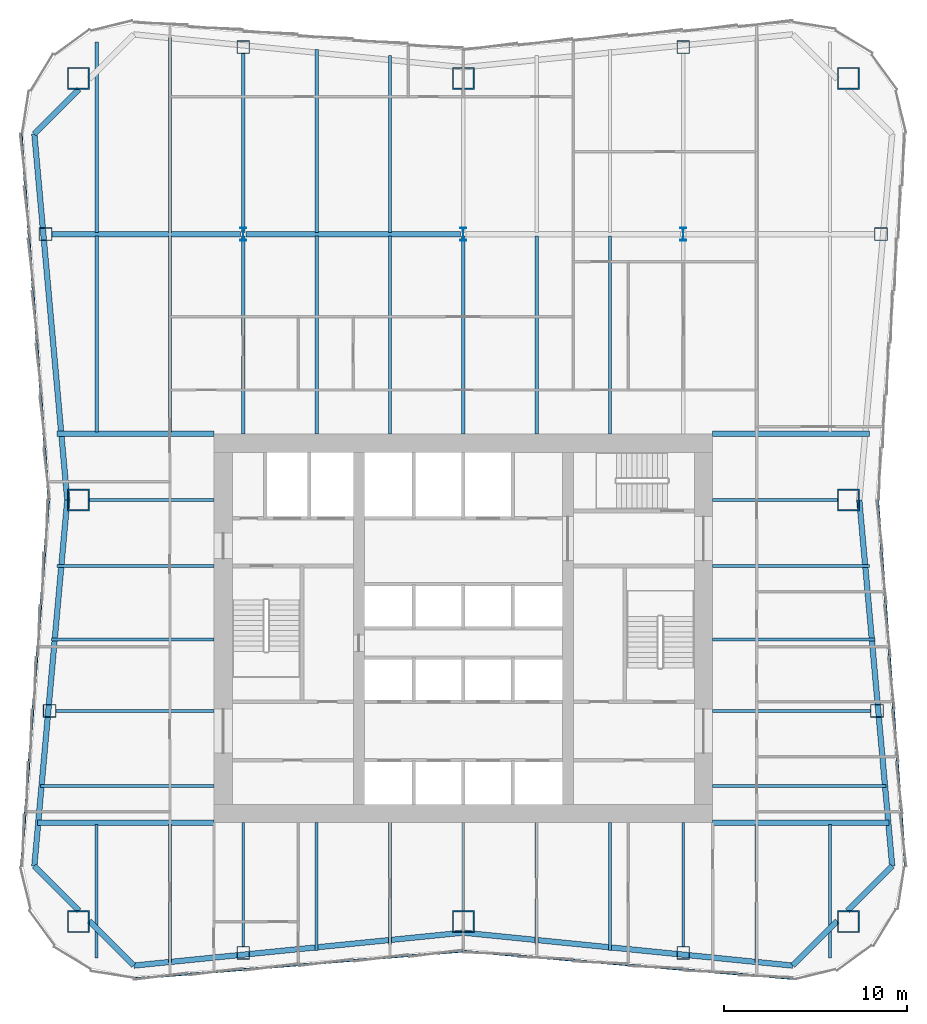
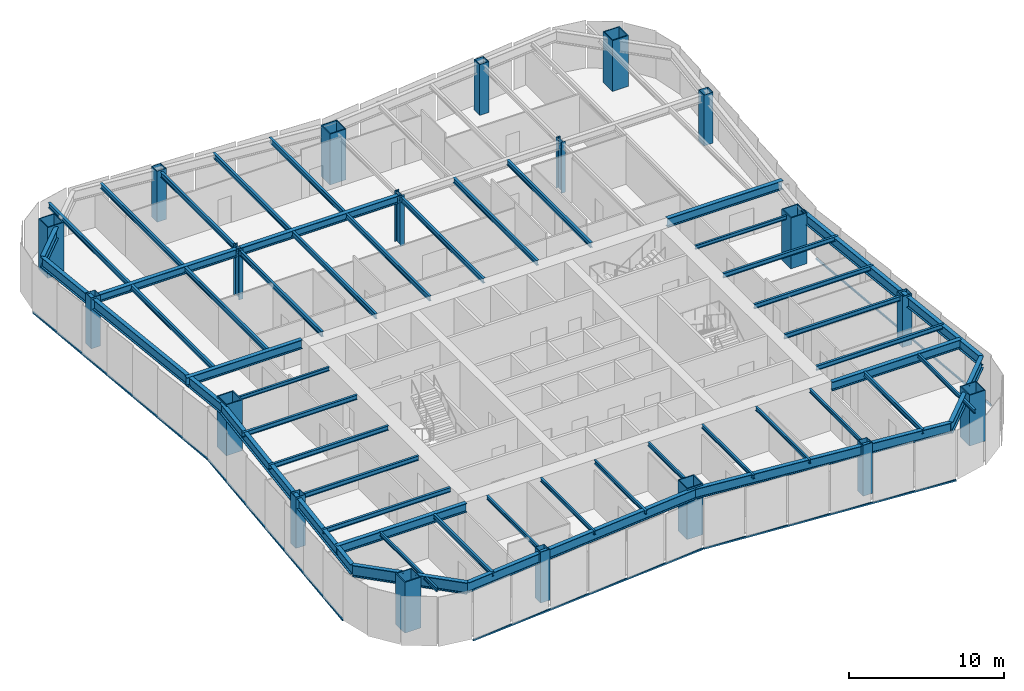
# One storey, part 1 of 8: 50 beams, 19 columns, 5 members, 3 elements without a shape of their own.
"""IFC4 building model written with IfcOpenShell, lengths in metres."""

from ifc_helpers import new_model, si_unit, direction, frame, origin, origin_2d, place, context, subcontext, project, spatial, rectangle, hollow_rectangle, i_section, extrude, material, material_profile, profile_set, type_object, element, aggregate, save


model = new_model("IFC4")

# Units and contexts
model_context = context("Model", 3, precision=1e-05, world=origin(), true_north=direction((0.0, 1.0)))
body_context = subcontext(model_context, "Body", "Model", "MODEL_VIEW")
ifc_project = project(units=[si_unit("LENGTHUNIT", "METRE"), si_unit("AREAUNIT", "SQUARE_METRE"), si_unit("VOLUMEUNIT", "CUBIC_METRE"), si_unit("PLANEANGLEUNIT", "RADIAN"), si_unit("MASSUNIT", "GRAM", prefix="KILO")], contexts=[model_context])

# Site, building, storey
site_placement = place(None, origin())
site = spatial("IfcSite", under=ifc_project, at=site_placement, CompositionType="ELEMENT")
building_placement = place(site_placement, origin())
building = spatial("IfcBuilding", under=site, at=building_placement, Name="Verdant Reach Tower", CompositionType="ELEMENT")
storey_placement = place(building_placement, frame((0.0, 0.0, 154.0)))
storey = spatial("IfcBuildingStorey", under=building, at=storey_placement, Name="L35", CompositionType="ELEMENT", Elevation=154.0)

# Columns
ifc_material_1 = material(Name="Steel S460", Category="steel")
ifc_material_profile_1 = material_profile(ifc_material_1, i_section(OverallWidth=0.30810546875, OverallDepth=0.716064453125, WebThickness=0.02099609375, FlangeThickness=0.0400390625, FilletRadius=0.027099609375, at=origin_2d()), Name="HEM 700")
ifc_profile_set_1 = profile_set([ifc_material_profile_1], Name="Steel S460")
column_type_1 = type_object("IfcColumnType", Name="ST-COL-HEM700", PredefinedType="COLUMN", material=ifc_profile_set_1)
for number, where, z_axis, x_axis, name in (
    (1, (-12.0, 49.5, 0.0), (0.0, 0.0, 1.0), (1.0, 0.0, 0.0), "Interior column 1, L35"),
    (2, (0.0, 49.5, 0.0), (0.0, 0.0, 1.0), (1.0, 0.0, 0.0), "Interior column 2, L35"),
    (3, (12.0, 49.5, 0.0), (0.0, 0.0, 1.0), (1.0, 0.0, 0.0), "Interior column 3, L35"),
):
    element("IfcColumn", number, at=place(storey_placement, frame(where, z_axis=z_axis, x_axis=x_axis)), inside=storey, type_object=column_type_1, Name=name, PredefinedType="COLUMN", context=body_context, shape_type="SweptSolid", body=[
        extrude(i_section(OverallWidth=0.30810546875, OverallDepth=0.716064453125, WebThickness=0.02099609375, FlangeThickness=0.0400390625, FilletRadius=0.027099609375, at=origin_2d()), origin(), (0.0, 0.0, 1.0), 4.0),
    ])
ifc_material_profile_2 = material_profile(ifc_material_1, hollow_rectangle(XDim=1.199951171875, YDim=1.199951171875, WallThickness=0.070068359375, at=origin_2d()), Name="WB 1200x1200x70")
ifc_profile_set_2 = profile_set([ifc_material_profile_2], Name="Steel S460")
column_type_2 = type_object("IfcColumnType", Name="ST-COL-WB1200x1200x70", PredefinedType="COLUMN", material=ifc_profile_set_2)
for number, where, z_axis, x_axis, name in (
    (4, (-21.0, 58.0, 0.0), (0.0, 0.0, 1.0), (1.0, 0.0, 0.0), "Mega column north-west, L35"),
    (5, (0.0, 58.0, 0.0), (0.0, 0.0, 1.0), (1.0, 0.0, 0.0), "Mega column north, L35"),
    (6, (21.0, 58.0, 0.0), (0.0, 0.0, 1.0), (1.0, 0.0, 0.0), "Mega column north-east, L35"),
    (7, (21.0, 35.0, 0.0), (0.0, 0.0, 1.0), (1.0, 0.0, 0.0), "Mega column east, L35"),
    (8, (21.0, 12.0, 0.0), (0.0, 0.0, 1.0), (1.0, 0.0, 0.0), "Mega column south-east, L35"),
    (9, (0.0, 12.0, 0.0), (0.0, 0.0, 1.0), (1.0, 0.0, 0.0), "Mega column south, L35"),
    (10, (-21.0, 12.0, 0.0), (0.0, 0.0, 1.0), (1.0, 0.0, 0.0), "Mega column south-west, L35"),
    (11, (-21.0, 35.0, 0.0), (0.0, 0.0, 1.0), (1.0, 0.0, 0.0), "Mega column west, L35"),
):
    element("IfcColumn", number, at=place(storey_placement, frame(where, z_axis=z_axis, x_axis=x_axis)), inside=storey, type_object=column_type_2, Name=name, PredefinedType="COLUMN", context=body_context, shape_type="SweptSolid", body=[
        extrude(hollow_rectangle(XDim=1.199951171875, YDim=1.199951171875, WallThickness=0.070068359375, at=origin_2d()), origin(), (0.0, 0.0, 1.0), 4.0),
    ])
ifc_material_profile_3 = material_profile(ifc_material_1, hollow_rectangle(XDim=0.699951171875, YDim=0.699951171875, WallThickness=0.030029296875, at=origin_2d()), Name="WB 700x700x30")
ifc_profile_set_3 = profile_set([ifc_material_profile_3], Name="Steel S460")
column_type_3 = type_object("IfcColumnType", Name="ST-COL-WB700x700x30", PredefinedType="COLUMN", material=ifc_profile_set_3)
for number, where, z_axis, x_axis, name in (
    (12, (-12.0, 59.699951171875, 0.0), (0.0, 0.0, 1.0), (1.0, 0.0, 0.0), "Perimeter column north 1, L35"),
    (13, (12.0, 59.699951171875, 0.0), (0.0, 0.0, 1.0), (1.0, 0.0, 0.0), "Perimeter column north 2, L35"),
    (14, (-12.0, 10.300048828125, 0.0), (0.0, 0.0, 1.0), (1.0, 0.0, 0.0), "Perimeter column south 1, L35"),
    (15, (12.0, 10.300048828125, 0.0), (0.0, 0.0, 1.0), (1.0, 0.0, 0.0), "Perimeter column south 2, L35"),
    (16, (22.5625, 23.5, 0.0), (0.0, 0.0, 1.0), (1.0, 0.0, 0.0), "Perimeter column east 1, L35"),
    (17, (22.78759765625, 49.5, 0.0), (0.0, 0.0, 1.0), (1.0, 0.0, 0.0), "Perimeter column east 2, L35"),
    (18, (-22.5625, 23.5, 0.0), (0.0, 0.0, 1.0), (1.0, 0.0, 0.0), "Perimeter column west 1, L35"),
    (19, (-22.78759765625, 49.5, 0.0), (0.0, 0.0, 1.0), (1.0, 0.0, 0.0), "Perimeter column west 2, L35"),
):
    element("IfcColumn", number, at=place(storey_placement, frame(where, z_axis=z_axis, x_axis=x_axis)), inside=storey, type_object=column_type_3, Name=name, PredefinedType="COLUMN", context=body_context, shape_type="SweptSolid", body=[
        extrude(hollow_rectangle(XDim=0.699951171875, YDim=0.699951171875, WallThickness=0.030029296875, at=origin_2d()), origin(), (0.0, 0.0, 1.0), 4.0),
    ])

# Curtain wall, member
ifc_material_2 = material(Name="Anodised aluminium", Category="aluminium")
curtain_wall_type = type_object("IfcCurtainWallType", Name="EN-CW SYSTEM Z2", PredefinedType="NOTDEFINED", material=ifc_material_2)
curtain_wall_1_placement = place(storey_placement, origin())
curtain_wall_1 = element("IfcCurtainWall", 20, at=curtain_wall_1_placement, inside=storey, type_object=curtain_wall_type, Name="Curtain wall east, L35", PredefinedType="NOTDEFINED")
ifc_material_profile_4 = material_profile(ifc_material_2, rectangle(XDim=0.10009765625, YDim=0.1240234375, at=origin_2d()), Name="Transom 124x100")
ifc_profile_set_4 = profile_set([ifc_material_profile_4], Name="Anodised aluminium")
member_type = type_object("IfcMemberType", Name="EN-TRANSOM Z2", PredefinedType="USERDEFINED", material=ifc_profile_set_4)
member_1_placement = place(storey_placement, frame((24.103515625, 15.025390625, -0.2880859375), z_axis=(-0.07476111665, 0.997201471839, 0.0), x_axis=(-0.997201471839, -0.07476111665, 0.0)))
member_1 = element("IfcMember", 21, at=member_1_placement, type_object=member_type, Name="Transom east face part 1 1.1, L35", ObjectType="TRANSOM", PredefinedType="USERDEFINED", context=body_context, shape_type="SweptSolid", body=[
    extrude(rectangle(XDim=0.10009765625, YDim=0.1240234375, at=origin_2d()), origin(), (0.0, 0.0, 1.0), 19.99853515625),
])
aggregate(curtain_wall_1, [member_1])

# Curtain wall, members
curtain_wall_2_placement = place(storey_placement, origin())
curtain_wall_2 = element("IfcCurtainWall", 22, at=curtain_wall_2_placement, inside=storey, type_object=curtain_wall_type, Name="Curtain wall west, L35", PredefinedType="NOTDEFINED")
member_2_placement = place(storey_placement, frame((-24.103515625, 54.974609375, -0.2880859375), z_axis=(0.07476111665, -0.997201471839, 0.0), x_axis=(0.997201471839, 0.07476111665, 0.0)))
member_2 = element("IfcMember", 23, at=member_2_placement, type_object=member_type, Name="Transom west face part 1 1.1, L35", ObjectType="TRANSOM", PredefinedType="USERDEFINED", context=body_context, shape_type="SweptSolid", body=[
    extrude(rectangle(XDim=0.10009765625, YDim=0.1240234375, at=origin_2d()), origin(), (0.0, 0.0, 1.0), 19.99853515625),
])
member_3_placement = place(storey_placement, frame((-22.6083984375, 34.968017578125, -0.2880859375), z_axis=(-0.07476111665, -0.997201471839, 0.0), x_axis=(0.997201471839, -0.07476111665, 0.0)))
member_3 = element("IfcMember", 24, at=member_3_placement, type_object=member_type, Name="Transom west face part 2 1.1, L35", ObjectType="TRANSOM", PredefinedType="USERDEFINED", context=body_context, shape_type="SweptSolid", body=[
    extrude(rectangle(XDim=0.10009765625, YDim=0.1240234375, at=origin_2d()), origin(), (0.0, 0.0, 1.0), 19.99853515625),
])
aggregate(curtain_wall_2, [member_2, member_3])

curtain_wall_3_placement = place(storey_placement, origin())
curtain_wall_3 = element("IfcCurtainWall", 25, at=curtain_wall_3_placement, inside=storey, type_object=curtain_wall_type, Name="Curtain wall south, L35", PredefinedType="NOTDEFINED")
member_4_placement = place(storey_placement, frame((-17.97412109375, 8.896728515625, -0.2880859375), z_axis=(0.996548282776, 0.083015179915, 0.0), x_axis=(-0.083015179915, 0.996548282776, 0.0)))
member_4 = element("IfcMember", 26, at=member_4_placement, type_object=member_type, Name="Transom south face part 1 1.1, L35", ObjectType="TRANSOM", PredefinedType="USERDEFINED", context=body_context, shape_type="SweptSolid", body=[
    extrude(rectangle(XDim=0.10009765625, YDim=0.1240234375, at=origin_2d()), origin(), (0.0, 0.0, 1.0), 18.00439453125),
])
member_5_placement = place(storey_placement, frame((0.031982421875, 10.391357421875, -0.2880859375), z_axis=(0.996548282776, -0.083015179915, 0.0), x_axis=(0.083015179915, 0.996548282776, 0.0)))
member_5 = element("IfcMember", 27, at=member_5_placement, type_object=member_type, Name="Transom south face part 2 1.1, L35", ObjectType="TRANSOM", PredefinedType="USERDEFINED", context=body_context, shape_type="SweptSolid", body=[
    extrude(rectangle(XDim=0.10009765625, YDim=0.1240234375, at=origin_2d()), origin(), (0.0, 0.0, 1.0), 18.00439453125),
])
aggregate(curtain_wall_3, [member_4, member_5])

# Beams
ifc_material_3 = material(Name="Steel S355", Category="steel")
ifc_material_profile_5 = material_profile(ifc_material_3, i_section(OverallWidth=0.300048828125, OverallDepth=0.60009765625, WebThickness=0.015380859375, FlangeThickness=0.030029296875, FilletRadius=0.027099609375, at=origin_2d()), Name="HEB 600")
ifc_profile_set_5 = profile_set([ifc_material_profile_5], Name="Steel S355")
beam_type_1 = type_object("IfcBeamType", Name="ST-BEAM-HEB600", PredefinedType="BEAM", material=ifc_profile_set_5)
beam_1_placement = place(storey_placement, frame((-22.4375, 49.5, 3.570068359375), z_axis=(1.0, 0.0, 0.0), x_axis=(0.0, 1.0, 0.0)))
element("IfcBeam", 28, at=beam_1_placement, inside=storey, type_object=beam_type_1, Name="Row girder, L35", PredefinedType="BEAM", context=body_context, shape_type="SweptSolid", body=[
    extrude(i_section(OverallWidth=0.300048828125, OverallDepth=0.60009765625, WebThickness=0.015380859375, FlangeThickness=0.030029296875, FilletRadius=0.027099609375, at=origin_2d()), origin(), (0.0, 0.0, 1.0), 10.283447265625),
])
beam_2_placement = place(storey_placement, frame((-11.845947265625, 49.5, 3.570068359375), z_axis=(1.0, 0.0, 0.0), x_axis=(0.0, 1.0, 0.0)))
element("IfcBeam", 29, at=beam_2_placement, inside=storey, type_object=beam_type_1, Name="Row girder, L35", PredefinedType="BEAM", context=body_context, shape_type="SweptSolid", body=[
    extrude(i_section(OverallWidth=0.300048828125, OverallDepth=0.60009765625, WebThickness=0.015380859375, FlangeThickness=0.030029296875, FilletRadius=0.027099609375, at=origin_2d()), origin(), (0.0, 0.0, 1.0), 11.69189453125),
])
ifc_material_profile_6 = material_profile(ifc_material_3, i_section(OverallWidth=0.300048828125, OverallDepth=0.699951171875, WebThickness=0.01708984375, FlangeThickness=0.031982421875, FilletRadius=0.027099609375, at=origin_2d()), Name="HEB 700")
ifc_profile_set_6 = profile_set([ifc_material_profile_6], Name="Steel S355")
beam_type_2 = type_object("IfcBeamType", Name="ST-BEAM-HEB700", PredefinedType="BEAM", material=ifc_profile_set_6)
for number, where, z_axis, x_axis, name in (
    (30, (13.60009765625, 38.60009765625, 3.52001953125), (1.0, 0.0, 0.0), (0.0, 1.0, 0.0), "Trimmer beam, L35"),
    (31, (-13.60009765625, 38.60009765625, 3.52001953125), (-1.0, 0.0, 0.0), (0.0, -1.0, 0.0), "Trimmer beam, L35"),
):
    element("IfcBeam", number, at=place(storey_placement, frame(where, z_axis=z_axis, x_axis=x_axis)), inside=storey, type_object=beam_type_2, Name=name, PredefinedType="BEAM", context=body_context, shape_type="SweptSolid", body=[
        extrude(i_section(OverallWidth=0.300048828125, OverallDepth=0.699951171875, WebThickness=0.01708984375, FlangeThickness=0.031982421875, FilletRadius=0.027099609375, at=origin_2d()), origin(), (0.0, 0.0, 1.0), 8.568115234375),
    ])
for number, where, z_axis, x_axis, name in (
    (32, (13.60009765625, 17.39990234375, 3.52001953125), (1.0, 0.0, 0.0), (0.0, 1.0, 0.0), "Trimmer beam, L35"),
    (33, (-13.60009765625, 17.39990234375, 3.52001953125), (-1.0, 0.0, 0.0), (0.0, -1.0, 0.0), "Trimmer beam, L35"),
):
    element("IfcBeam", number, at=place(storey_placement, frame(where, z_axis=z_axis, x_axis=x_axis)), inside=storey, type_object=beam_type_2, Name=name, PredefinedType="BEAM", context=body_context, shape_type="SweptSolid", body=[
        extrude(i_section(OverallWidth=0.300048828125, OverallDepth=0.699951171875, WebThickness=0.01708984375, FlangeThickness=0.031982421875, FilletRadius=0.027099609375, at=origin_2d()), origin(), (0.0, 0.0, 1.0), 9.6181640625),
    ])
ifc_material_profile_7 = material_profile(ifc_material_3, i_section(OverallWidth=0.14990234375, OverallDepth=0.300048828125, WebThickness=0.007080078125, FlangeThickness=0.0107421875, FilletRadius=0.014892578125, at=origin_2d()), Name="IPE 300")
ifc_profile_set_7 = profile_set([ifc_material_profile_7], Name="Steel S355")
beam_type_3 = type_object("IfcBeamType", Name="ST-JOIST-IPE300", PredefinedType="JOIST", material=ifc_profile_set_7)
beam_3_placement = place(storey_placement, frame((-20.0, 17.300048828125, 3.719970703125), z_axis=(0.0, -1.0, 0.0), x_axis=(1.0, 0.0, 0.0)))
element("IfcBeam", 34, at=beam_3_placement, inside=storey, type_object=beam_type_3, Name="Floor joist, L35", PredefinedType="JOIST", context=body_context, shape_type="SweptSolid", body=[
    extrude(i_section(OverallWidth=0.14990234375, OverallDepth=0.300048828125, WebThickness=0.007080078125, FlangeThickness=0.0107421875, FilletRadius=0.014892578125, at=origin_2d()), origin(), (0.0, 0.0, 1.0), 7.29052734375),
])
beam_4_placement = place(storey_placement, frame((-12.0, 17.39990234375, 3.719970703125), z_axis=(0.0, -1.0, 0.0), x_axis=(1.0, 0.0, 0.0)))
element("IfcBeam", 35, at=beam_4_placement, inside=storey, type_object=beam_type_3, Name="Floor joist, L35", PredefinedType="JOIST", context=body_context, shape_type="SweptSolid", body=[
    extrude(i_section(OverallWidth=0.14990234375, OverallDepth=0.300048828125, WebThickness=0.007080078125, FlangeThickness=0.0107421875, FilletRadius=0.014892578125, at=origin_2d()), origin(), (0.0, 0.0, 1.0), 6.75),
])
beam_5_placement = place(storey_placement, frame((-8.0, 17.39990234375, 3.719970703125), z_axis=(0.0, -1.0, 0.0), x_axis=(1.0, 0.0, 0.0)))
element("IfcBeam", 36, at=beam_5_placement, inside=storey, type_object=beam_type_3, Name="Floor joist, L35", PredefinedType="JOIST", context=body_context, shape_type="SweptSolid", body=[
    extrude(i_section(OverallWidth=0.14990234375, OverallDepth=0.300048828125, WebThickness=0.007080078125, FlangeThickness=0.0107421875, FilletRadius=0.014892578125, at=origin_2d()), origin(), (0.0, 0.0, 1.0), 6.964599609375),
])
beam_6_placement = place(storey_placement, frame((-4.0, 17.39990234375, 3.719970703125), z_axis=(0.0, -1.0, 0.0), x_axis=(1.0, 0.0, 0.0)))
element("IfcBeam", 37, at=beam_6_placement, inside=storey, type_object=beam_type_3, Name="Floor joist, L35", PredefinedType="JOIST", context=body_context, shape_type="SweptSolid", body=[
    extrude(i_section(OverallWidth=0.14990234375, OverallDepth=0.300048828125, WebThickness=0.007080078125, FlangeThickness=0.0107421875, FilletRadius=0.014892578125, at=origin_2d()), origin(), (0.0, 0.0, 1.0), 6.631103515625),
])
beam_7_placement = place(storey_placement, frame((0.0, 17.39990234375, 3.719970703125), z_axis=(0.0, -1.0, 0.0), x_axis=(1.0, 0.0, 0.0)))
element("IfcBeam", 38, at=beam_7_placement, inside=storey, type_object=beam_type_3, Name="Floor joist, L35", PredefinedType="JOIST", context=body_context, shape_type="SweptSolid", body=[
    extrude(i_section(OverallWidth=0.14990234375, OverallDepth=0.300048828125, WebThickness=0.007080078125, FlangeThickness=0.0107421875, FilletRadius=0.014892578125, at=origin_2d()), origin(), (0.0, 0.0, 1.0), 4.7998046875),
])
beam_8_placement = place(storey_placement, frame((4.0, 17.39990234375, 3.719970703125), z_axis=(0.0, -1.0, 0.0), x_axis=(1.0, 0.0, 0.0)))
element("IfcBeam", 39, at=beam_8_placement, inside=storey, type_object=beam_type_3, Name="Floor joist, L35", PredefinedType="JOIST", context=body_context, shape_type="SweptSolid", body=[
    extrude(i_section(OverallWidth=0.14990234375, OverallDepth=0.300048828125, WebThickness=0.007080078125, FlangeThickness=0.0107421875, FilletRadius=0.014892578125, at=origin_2d()), origin(), (0.0, 0.0, 1.0), 6.631103515625),
])
beam_9_placement = place(storey_placement, frame((8.0, 17.39990234375, 3.719970703125), z_axis=(0.0, -1.0, 0.0), x_axis=(1.0, 0.0, 0.0)))
element("IfcBeam", 40, at=beam_9_placement, inside=storey, type_object=beam_type_3, Name="Floor joist, L35", PredefinedType="JOIST", context=body_context, shape_type="SweptSolid", body=[
    extrude(i_section(OverallWidth=0.14990234375, OverallDepth=0.300048828125, WebThickness=0.007080078125, FlangeThickness=0.0107421875, FilletRadius=0.014892578125, at=origin_2d()), origin(), (0.0, 0.0, 1.0), 6.964599609375),
])
beam_10_placement = place(storey_placement, frame((12.0, 17.39990234375, 3.719970703125), z_axis=(0.0, -1.0, 0.0), x_axis=(1.0, 0.0, 0.0)))
element("IfcBeam", 41, at=beam_10_placement, inside=storey, type_object=beam_type_3, Name="Floor joist, L35", PredefinedType="JOIST", context=body_context, shape_type="SweptSolid", body=[
    extrude(i_section(OverallWidth=0.14990234375, OverallDepth=0.300048828125, WebThickness=0.007080078125, FlangeThickness=0.0107421875, FilletRadius=0.014892578125, at=origin_2d()), origin(), (0.0, 0.0, 1.0), 6.75),
])
beam_11_placement = place(storey_placement, frame((20.0, 17.300048828125, 3.719970703125), z_axis=(0.0, -1.0, 0.0), x_axis=(1.0, 0.0, 0.0)))
element("IfcBeam", 42, at=beam_11_placement, inside=storey, type_object=beam_type_3, Name="Floor joist, L35", PredefinedType="JOIST", context=body_context, shape_type="SweptSolid", body=[
    extrude(i_section(OverallWidth=0.14990234375, OverallDepth=0.300048828125, WebThickness=0.007080078125, FlangeThickness=0.0107421875, FilletRadius=0.014892578125, at=origin_2d()), origin(), (0.0, 0.0, 1.0), 7.29052734375),
])
for number, where, z_axis, x_axis, name in (
    (43, (13.60009765625, 35.0, 3.719970703125), (1.0, 0.0, 0.0), (0.0, 1.0, 0.0), "Floor joist, L35"),
    (44, (-13.60009765625, 35.0, 3.719970703125), (-1.0, 0.0, 0.0), (0.0, -1.0, 0.0), "Floor joist, L35"),
):
    element("IfcBeam", number, at=place(storey_placement, frame(where, z_axis=z_axis, x_axis=x_axis)), inside=storey, type_object=beam_type_3, Name=name, PredefinedType="JOIST", context=body_context, shape_type="SweptSolid", body=[
        extrude(i_section(OverallWidth=0.14990234375, OverallDepth=0.300048828125, WebThickness=0.007080078125, FlangeThickness=0.0107421875, FilletRadius=0.014892578125, at=origin_2d()), origin(), (0.0, 0.0, 1.0), 6.7998046875),
    ])
ifc_material_profile_8 = material_profile(ifc_material_3, i_section(OverallWidth=0.169921875, OverallDepth=0.360107421875, WebThickness=0.008056640625, FlangeThickness=0.0126953125, FilletRadius=0.01806640625, at=origin_2d()), Name="IPE 360")
ifc_profile_set_8 = profile_set([ifc_material_profile_8], Name="Steel S355")
beam_type_4 = type_object("IfcBeamType", Name="ST-JOIST-IPE360", PredefinedType="JOIST", material=ifc_profile_set_8)
for number, where, z_axis, x_axis, name in (
    (45, (-16.0, 17.300048828125, 3.68994140625), (0.0, -1.0, 0.0), (1.0, 0.0, 0.0), "Floor joist, L35"),
    (46, (16.0, 17.300048828125, 3.68994140625), (0.0, -1.0, 0.0), (1.0, 0.0, 0.0), "Floor joist, L35"),
):
    element("IfcBeam", number, at=place(storey_placement, frame(where, z_axis=z_axis, x_axis=x_axis)), inside=storey, type_object=beam_type_4, Name=name, PredefinedType="JOIST", context=body_context, shape_type="SweptSolid", body=[
        extrude(i_section(OverallWidth=0.169921875, OverallDepth=0.360107421875, WebThickness=0.008056640625, FlangeThickness=0.0126953125, FilletRadius=0.01806640625, at=origin_2d()), origin(), (0.0, 0.0, 1.0), 7.53125),
    ])
for number, where, z_axis, x_axis, name in (
    (47, (13.60009765625, 19.39990234375, 3.68994140625), (1.0, 0.0, 0.0), (0.0, 1.0, 0.0), "Floor joist, L35"),
    (48, (-13.60009765625, 19.39990234375, 3.68994140625), (-1.0, 0.0, 0.0), (0.0, -1.0, 0.0), "Floor joist, L35"),
):
    element("IfcBeam", number, at=place(storey_placement, frame(where, z_axis=z_axis, x_axis=x_axis)), inside=storey, type_object=beam_type_4, Name=name, PredefinedType="JOIST", context=body_context, shape_type="SweptSolid", body=[
        extrude(i_section(OverallWidth=0.169921875, OverallDepth=0.360107421875, WebThickness=0.008056640625, FlangeThickness=0.0126953125, FilletRadius=0.01806640625, at=origin_2d()), origin(), (0.0, 0.0, 1.0), 9.46826171875),
    ])
for number, where, z_axis, x_axis, name in (
    (49, (13.60009765625, 23.5, 3.68994140625), (1.0, 0.0, 0.0), (0.0, 1.0, 0.0), "Floor joist, L35"),
    (50, (-13.60009765625, 23.5, 3.68994140625), (-1.0, 0.0, 0.0), (0.0, -1.0, 0.0), "Floor joist, L35"),
):
    element("IfcBeam", number, at=place(storey_placement, frame(where, z_axis=z_axis, x_axis=x_axis)), inside=storey, type_object=beam_type_4, Name=name, PredefinedType="JOIST", context=body_context, shape_type="SweptSolid", body=[
        extrude(i_section(OverallWidth=0.169921875, OverallDepth=0.360107421875, WebThickness=0.008056640625, FlangeThickness=0.0126953125, FilletRadius=0.01806640625, at=origin_2d()), origin(), (0.0, 0.0, 1.0), 8.6123046875),
    ])
for number, where, z_axis, x_axis, name in (
    (51, (13.60009765625, 27.39990234375, 3.68994140625), (1.0, 0.0, 0.0), (0.0, 1.0, 0.0), "Floor joist, L35"),
    (52, (-13.60009765625, 27.39990234375, 3.68994140625), (-1.0, 0.0, 0.0), (0.0, -1.0, 0.0), "Floor joist, L35"),
):
    element("IfcBeam", number, at=place(storey_placement, frame(where, z_axis=z_axis, x_axis=x_axis)), inside=storey, type_object=beam_type_4, Name=name, PredefinedType="JOIST", context=body_context, shape_type="SweptSolid", body=[
        extrude(i_section(OverallWidth=0.169921875, OverallDepth=0.360107421875, WebThickness=0.008056640625, FlangeThickness=0.0126953125, FilletRadius=0.01806640625, at=origin_2d()), origin(), (0.0, 0.0, 1.0), 8.8681640625),
    ])
for number, where, z_axis, x_axis, name in (
    (53, (13.60009765625, 31.39990234375, 3.68994140625), (1.0, 0.0, 0.0), (0.0, 1.0, 0.0), "Floor joist, L35"),
    (54, (-13.60009765625, 31.39990234375, 3.68994140625), (-1.0, 0.0, 0.0), (0.0, -1.0, 0.0), "Floor joist, L35"),
):
    element("IfcBeam", number, at=place(storey_placement, frame(where, z_axis=z_axis, x_axis=x_axis)), inside=storey, type_object=beam_type_4, Name=name, PredefinedType="JOIST", context=body_context, shape_type="SweptSolid", body=[
        extrude(i_section(OverallWidth=0.169921875, OverallDepth=0.360107421875, WebThickness=0.008056640625, FlangeThickness=0.0126953125, FilletRadius=0.01806640625, at=origin_2d()), origin(), (0.0, 0.0, 1.0), 8.568115234375),
    ])
ifc_material_profile_9 = material_profile(ifc_material_3, i_section(OverallWidth=0.179931640625, OverallDepth=0.39990234375, WebThickness=0.008544921875, FlangeThickness=0.013427734375, FilletRadius=0.02099609375, at=origin_2d()), Name="IPE 400")
ifc_profile_set_9 = profile_set([ifc_material_profile_9], Name="Steel S355")
beam_type_5 = type_object("IfcBeamType", Name="ST-JOIST-IPE400", PredefinedType="JOIST", material=ifc_profile_set_9)
beam_12_placement = place(storey_placement, frame((-20.0, 38.699951171875, 3.669921875), z_axis=(0.0, 1.0, 0.0), x_axis=(-1.0, 0.0, 0.0)))
element("IfcBeam", 55, at=beam_12_placement, inside=storey, type_object=beam_type_5, Name="Floor joist, L35", PredefinedType="JOIST", context=body_context, shape_type="SweptSolid", body=[
    extrude(i_section(OverallWidth=0.179931640625, OverallDepth=0.39990234375, WebThickness=0.008544921875, FlangeThickness=0.013427734375, FilletRadius=0.02099609375, at=origin_2d()), origin(), (0.0, 0.0, 1.0), 10.699951171875),
])
beam_13_placement = place(storey_placement, frame((-20.0, 49.60009765625, 3.669921875), z_axis=(0.0, 1.0, 0.0), x_axis=(-1.0, 0.0, 0.0)))
element("IfcBeam", 56, at=beam_13_placement, inside=storey, type_object=beam_type_5, Name="Floor joist, L35", PredefinedType="JOIST", context=body_context, shape_type="SweptSolid", body=[
    extrude(i_section(OverallWidth=0.179931640625, OverallDepth=0.39990234375, WebThickness=0.008544921875, FlangeThickness=0.013427734375, FilletRadius=0.02099609375, at=origin_2d()), origin(), (0.0, 0.0, 1.0), 10.390380859375),
])
beam_14_placement = place(storey_placement, frame((-16.0, 38.699951171875, 3.669921875), z_axis=(0.0, 1.0, 0.0), x_axis=(-1.0, 0.0, 0.0)))
element("IfcBeam", 57, at=beam_14_placement, inside=storey, type_object=beam_type_5, Name="Floor joist, L35", PredefinedType="JOIST", context=body_context, shape_type="SweptSolid", body=[
    extrude(i_section(OverallWidth=0.179931640625, OverallDepth=0.39990234375, WebThickness=0.008544921875, FlangeThickness=0.013427734375, FilletRadius=0.02099609375, at=origin_2d()), origin(), (0.0, 0.0, 1.0), 10.699951171875),
])
beam_15_placement = place(storey_placement, frame((-16.0, 49.60009765625, 3.669921875), z_axis=(0.0, 1.0, 0.0), x_axis=(-1.0, 0.0, 0.0)))
element("IfcBeam", 58, at=beam_15_placement, inside=storey, type_object=beam_type_5, Name="Floor joist, L35", PredefinedType="JOIST", context=body_context, shape_type="SweptSolid", body=[
    extrude(i_section(OverallWidth=0.179931640625, OverallDepth=0.39990234375, WebThickness=0.008544921875, FlangeThickness=0.013427734375, FilletRadius=0.02099609375, at=origin_2d()), origin(), (0.0, 0.0, 1.0), 10.631103515625),
])
beam_16_placement = place(storey_placement, frame((-12.0, 38.60009765625, 3.669921875), z_axis=(0.0, 1.0, 0.0), x_axis=(-1.0, 0.0, 0.0)))
element("IfcBeam", 59, at=beam_16_placement, inside=storey, type_object=beam_type_5, Name="Floor joist, L35", PredefinedType="JOIST", context=body_context, shape_type="SweptSolid", body=[
    extrude(i_section(OverallWidth=0.179931640625, OverallDepth=0.39990234375, WebThickness=0.008544921875, FlangeThickness=0.013427734375, FilletRadius=0.02099609375, at=origin_2d()), origin(), (0.0, 0.0, 1.0), 10.7998046875),
])
beam_17_placement = place(storey_placement, frame((-12.0, 49.60009765625, 3.669921875), z_axis=(0.0, 1.0, 0.0), x_axis=(-1.0, 0.0, 0.0)))
element("IfcBeam", 60, at=beam_17_placement, inside=storey, type_object=beam_type_5, Name="Floor joist, L35", PredefinedType="JOIST", context=body_context, shape_type="SweptSolid", body=[
    extrude(i_section(OverallWidth=0.179931640625, OverallDepth=0.39990234375, WebThickness=0.008544921875, FlangeThickness=0.013427734375, FilletRadius=0.02099609375, at=origin_2d()), origin(), (0.0, 0.0, 1.0), 9.75),
])
beam_18_placement = place(storey_placement, frame((-8.0, 38.60009765625, 3.669921875), z_axis=(0.0, 1.0, 0.0), x_axis=(-1.0, 0.0, 0.0)))
element("IfcBeam", 61, at=beam_18_placement, inside=storey, type_object=beam_type_5, Name="Floor joist, L35", PredefinedType="JOIST", context=body_context, shape_type="SweptSolid", body=[
    extrude(i_section(OverallWidth=0.179931640625, OverallDepth=0.39990234375, WebThickness=0.008544921875, FlangeThickness=0.013427734375, FilletRadius=0.02099609375, at=origin_2d()), origin(), (0.0, 0.0, 1.0), 10.7998046875),
])
beam_19_placement = place(storey_placement, frame((-8.0, 49.60009765625, 3.669921875), z_axis=(0.0, 1.0, 0.0), x_axis=(-1.0, 0.0, 0.0)))
element("IfcBeam", 62, at=beam_19_placement, inside=storey, type_object=beam_type_5, Name="Floor joist, L35", PredefinedType="JOIST", context=body_context, shape_type="SweptSolid", body=[
    extrude(i_section(OverallWidth=0.179931640625, OverallDepth=0.39990234375, WebThickness=0.008544921875, FlangeThickness=0.013427734375, FilletRadius=0.02099609375, at=origin_2d()), origin(), (0.0, 0.0, 1.0), 9.964599609375),
])
beam_20_placement = place(storey_placement, frame((-4.0, 38.60009765625, 3.669921875), z_axis=(0.0, 1.0, 0.0), x_axis=(-1.0, 0.0, 0.0)))
element("IfcBeam", 63, at=beam_20_placement, inside=storey, type_object=beam_type_5, Name="Floor joist, L35", PredefinedType="JOIST", context=body_context, shape_type="SweptSolid", body=[
    extrude(i_section(OverallWidth=0.179931640625, OverallDepth=0.39990234375, WebThickness=0.008544921875, FlangeThickness=0.013427734375, FilletRadius=0.02099609375, at=origin_2d()), origin(), (0.0, 0.0, 1.0), 10.7998046875),
])
beam_21_placement = place(storey_placement, frame((-4.0, 49.60009765625, 3.669921875), z_axis=(0.0, 1.0, 0.0), x_axis=(-1.0, 0.0, 0.0)))
element("IfcBeam", 64, at=beam_21_placement, inside=storey, type_object=beam_type_5, Name="Floor joist, L35", PredefinedType="JOIST", context=body_context, shape_type="SweptSolid", body=[
    extrude(i_section(OverallWidth=0.179931640625, OverallDepth=0.39990234375, WebThickness=0.008544921875, FlangeThickness=0.013427734375, FilletRadius=0.02099609375, at=origin_2d()), origin(), (0.0, 0.0, 1.0), 9.631103515625),
])
for number, where, z_axis, x_axis, name in (
    (65, (0.0, 38.60009765625, 3.669921875), (0.0, 1.0, 0.0), (-1.0, 0.0, 0.0), "Floor joist, L35"),
    (66, (4.0, 38.60009765625, 3.669921875), (0.0, 1.0, 0.0), (-1.0, 0.0, 0.0), "Floor joist, L35"),
    (67, (8.0, 38.60009765625, 3.669921875), (0.0, 1.0, 0.0), (-1.0, 0.0, 0.0), "Floor joist, L35"),
):
    element("IfcBeam", number, at=place(storey_placement, frame(where, z_axis=z_axis, x_axis=x_axis)), inside=storey, type_object=beam_type_5, Name=name, PredefinedType="JOIST", context=body_context, shape_type="SweptSolid", body=[
        extrude(i_section(OverallWidth=0.179931640625, OverallDepth=0.39990234375, WebThickness=0.008544921875, FlangeThickness=0.013427734375, FilletRadius=0.02099609375, at=origin_2d()), origin(), (0.0, 0.0, 1.0), 10.7998046875),
    ])
ifc_material_profile_10 = material_profile(ifc_material_3, i_section(OverallWidth=0.300048828125, OverallDepth=0.800048828125, WebThickness=0.017578125, FlangeThickness=0.032958984375, FilletRadius=0.030029296875, at=origin_2d()), Name="HEB 800")
ifc_profile_set_10 = profile_set([ifc_material_profile_10], Name="Steel S355")
beam_type_6 = type_object("IfcBeamType", Name="ST-SPANDREL-HEB800", PredefinedType="SPANDREL", material=ifc_profile_set_10)
for number, where, z_axis, x_axis, name in (
    (68, (17.9658203125, 9.60498046875, 3.469970703125), (-0.995046289869, 0.099412680371, 0.0), (-0.099412680371, -0.995046289869, 0.0), "Edge beam, L35"),
    (69, (0.0, 11.39990234375, 3.469970703125), (-0.995046289869, -0.099412680371, 0.0), (0.099412680371, -0.995046289869, 0.0), "Edge beam, L35"),
):
    element("IfcBeam", number, at=place(storey_placement, frame(where, z_axis=z_axis, x_axis=x_axis)), inside=storey, type_object=beam_type_6, Name=name, PredefinedType="SPANDREL", context=body_context, shape_type="SweptSolid", body=[
        extrude(i_section(OverallWidth=0.300048828125, OverallDepth=0.800048828125, WebThickness=0.017578125, FlangeThickness=0.032958984375, FilletRadius=0.030029296875, at=origin_2d()), origin(), (0.0, 0.0, 1.0), 18.05517578125),
    ])
for number, where, z_axis, x_axis, name in (
    (70, (-23.3955078125, 15.036865234375, 3.469970703125), (0.089574749266, 0.995980102358, 0.0), (-0.995980102358, 0.089574749266, 0.0), "Edge beam, L35"),
    (71, (-21.60009765625, 35.0, 3.469970703125), (-0.089574749266, 0.995980102358, 0.0), (-0.995980102358, -0.089574749266, 0.0), "Edge beam, L35"),
    (72, (21.60009765625, 35.0, 3.469970703125), (0.089574749266, -0.995980102358, 0.0), (0.995980102358, 0.089574749266, 0.0), "Edge beam, L35"),
):
    element("IfcBeam", number, at=place(storey_placement, frame(where, z_axis=z_axis, x_axis=x_axis)), inside=storey, type_object=beam_type_6, Name=name, PredefinedType="SPANDREL", context=body_context, shape_type="SweptSolid", body=[
        extrude(i_section(OverallWidth=0.300048828125, OverallDepth=0.800048828125, WebThickness=0.017578125, FlangeThickness=0.032958984375, FilletRadius=0.030029296875, at=origin_2d()), origin(), (0.0, 0.0, 1.0), 20.043701171875),
    ])
ifc_material_profile_11 = material_profile(ifc_material_3, i_section(OverallWidth=0.302001953125, OverallDepth=0.909912109375, WebThickness=0.02099609375, FlangeThickness=0.0400390625, FilletRadius=0.030029296875, at=origin_2d()), Name="HEM 900")
ifc_profile_set_11 = profile_set([ifc_material_profile_11], Name="Steel S355")
beam_type_7 = type_object("IfcBeamType", Name="ST-SPANDREL-HEM900", PredefinedType="SPANDREL", material=ifc_profile_set_11)
beam_22_placement = place(storey_placement, frame((-17.9658203125, 9.60498046875, 3.4150390625), z_axis=(-0.70696494852, 0.70724858541, 0.0), x_axis=(-0.70724858541, -0.70696494852, 0.0)))
element("IfcBeam", 73, at=beam_22_placement, inside=storey, type_object=beam_type_7, Name="Edge beam, L35", PredefinedType="SPANDREL", context=body_context, shape_type="SweptSolid", body=[
    extrude(i_section(OverallWidth=0.302001953125, OverallDepth=0.909912109375, WebThickness=0.02099609375, FlangeThickness=0.0400390625, FilletRadius=0.030029296875, at=origin_2d()), origin(), (0.0, 0.0, 1.0), 3.443115234375),
])
for number, where, z_axis, x_axis, name in (
    (74, (-20.959716796875, 12.60009765625, 3.4150390625), (-0.706965048022, 0.707248485948, 0.0), (-0.707248485948, -0.706965048022, 0.0), "Edge beam, L35"),
    (75, (-23.3955078125, 54.963134765625, 3.4150390625), (0.706965048022, 0.707248485948, 0.0), (-0.707248485948, 0.706965048022, 0.0), "Edge beam, L35"),
    (76, (23.3955078125, 15.036865234375, 3.4150390625), (-0.706965048022, -0.707248485948, 0.0), (0.707248485948, -0.706965048022, 0.0), "Edge beam, L35"),
):
    element("IfcBeam", number, at=place(storey_placement, frame(where, z_axis=z_axis, x_axis=x_axis)), inside=storey, type_object=beam_type_7, Name=name, PredefinedType="SPANDREL", context=body_context, shape_type="SweptSolid", body=[
        extrude(i_section(OverallWidth=0.302001953125, OverallDepth=0.909912109375, WebThickness=0.02099609375, FlangeThickness=0.0400390625, FilletRadius=0.030029296875, at=origin_2d()), origin(), (0.0, 0.0, 1.0), 3.4453125),
    ])
beam_23_placement = place(storey_placement, frame((20.39990234375, 12.0400390625, 3.4150390625), z_axis=(-0.70696494852, -0.70724858541, 0.0), x_axis=(0.70724858541, -0.70696494852, 0.0)))
element("IfcBeam", 77, at=beam_23_placement, inside=storey, type_object=beam_type_7, Name="Edge beam, L35", PredefinedType="SPANDREL", context=body_context, shape_type="SweptSolid", body=[
    extrude(i_section(OverallWidth=0.302001953125, OverallDepth=0.909912109375, WebThickness=0.02099609375, FlangeThickness=0.0400390625, FilletRadius=0.030029296875, at=origin_2d()), origin(), (0.0, 0.0, 1.0), 3.443115234375),
])

save(model, "model.ifc")
